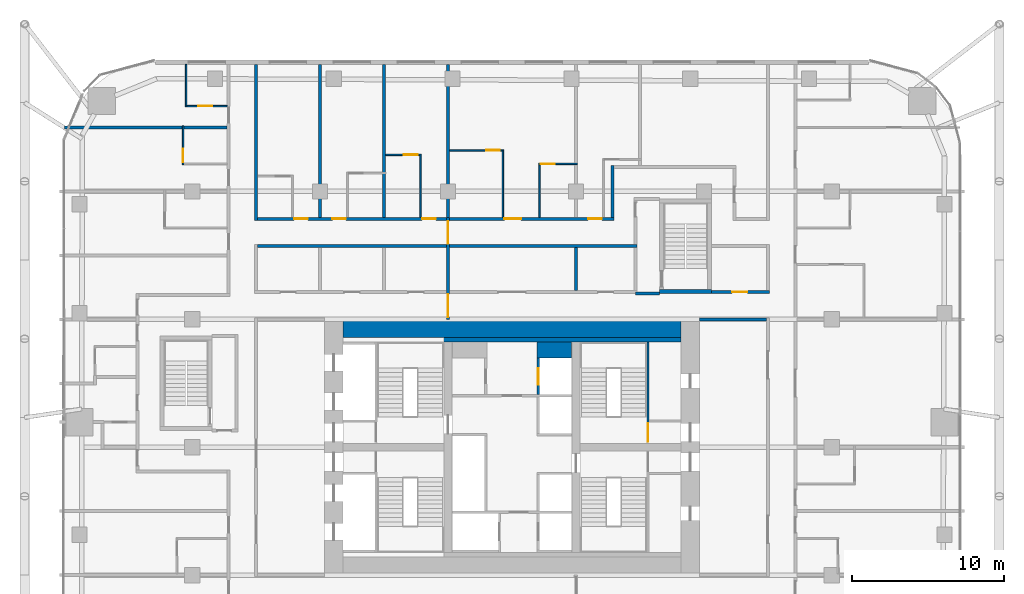
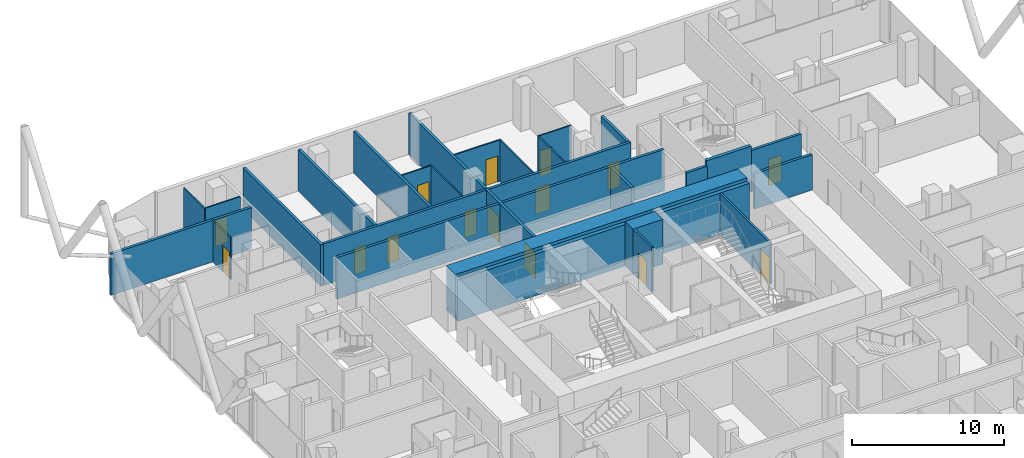
# One storey, part 34 of 38: 28 walls, 15 doors, 15 openings.
"""IFC4 building model written with IfcOpenShell, lengths in metres."""

import ifcopenshell
import ifcopenshell.guid

model = None  # the IFC model being written
_history = None  # IfcOwnerHistory: only IFC2X3 demands one
_inside = {}  # id of a spatial element -> (the spatial element, [elements in it])
_under = {}  # id of a project, library or spatial element -> (it, [spatial elements below it])
_declared = {}  # id of a project -> (the project, [libraries it declares])
_typed = {}  # id of a type object -> (the type object, [elements of that type])
_made_of = {}  # id of a material, layer set ... -> (it, [elements and type objects made of it])


def new_model(schema):
    """Start an empty IFC model of exactly this schema.

    Asked for "IFC4X3", IfcOpenShell would pick the latest addendum, in which some entities
    have other attributes; the version numbers below select the first issue.
    IFC2X3 requires an IfcOwnerHistory on every rooted entity: one is made here for all.
    """
    global model, _history
    if schema == "IFC4X3":
        model = ifcopenshell.file(schema_version=(4, 3, 0, 0))
    else:
        model = ifcopenshell.file(schema=schema)
    _inside.clear()
    _under.clear()
    _declared.clear()
    _typed.clear()
    _made_of.clear()
    _history = None
    if model.schema == "IFC2X3":
        org = make("IfcOrganization", Name="unknown")
        user = make(
            "IfcPersonAndOrganization",
            ThePerson=make("IfcPerson", FamilyName="unknown"),
            TheOrganization=org,
        )
        app = make(
            "IfcApplication",
            ApplicationDeveloper=org,
            Version="unknown",
            ApplicationFullName="unknown",
            ApplicationIdentifier="unknown",
        )
        _history = make(
            "IfcOwnerHistory",
            OwningUser=user,
            OwningApplication=app,
            ChangeAction="ADDED",
            CreationDate=0,
        )
    return model


def make(cls, **values):
    """One entity of the class cls with the attributes given. An attribute that is None is left unset."""
    return model.create_entity(
        cls, **{name: value for name, value in values.items() if value is not None}
    )


def rooted(cls, **values):
    """An entity with a GlobalId (a new one), such as an element, a storey or a relation."""
    return make(cls, GlobalId=ifcopenshell.guid.new(), OwnerHistory=_history, **values)


def si_unit(unit_type, name, prefix=None):
    """IfcSIUnit, for example si_unit("LENGTHUNIT", "METRE", prefix="MILLI")."""
    return make("IfcSIUnit", UnitType=unit_type, Prefix=prefix, Name=name)


def assignment(units):
    """IfcUnitAssignment: the units of a project."""
    return None if units is None else make("IfcUnitAssignment", Units=units)


def point(xyz):
    """IfcCartesianPoint."""
    return None if xyz is None else make("IfcCartesianPoint", Coordinates=xyz)


def direction(xyz):
    """IfcDirection."""
    return None if xyz is None else make("IfcDirection", DirectionRatios=xyz)


def frame(location, z_axis=None, x_axis=None):
    """IfcAxis2Placement3D, a coordinate frame: its origin and axes. An axis left out is left unset."""
    return make(
        "IfcAxis2Placement3D",
        Location=point(location),
        Axis=direction(z_axis),
        RefDirection=direction(x_axis),
    )


def frame_2d(location, x_axis=None):
    """IfcAxis2Placement2D, a coordinate frame in the plane: its origin and x axis."""
    return make(
        "IfcAxis2Placement2D", Location=point(location), RefDirection=direction(x_axis)
    )


def origin():
    """The frame at (0, 0, 0) with its axes left unset."""
    return frame((0.0, 0.0, 0.0))


def place(relative_to, where):
    """IfcLocalPlacement: puts the frame where relative to a parent placement (None: the world)."""
    return make(
        "IfcLocalPlacement", PlacementRelTo=relative_to, RelativePlacement=where
    )


def context(
    kind, dimensions, precision=None, world=None, true_north=None, identifier=None
):
    """IfcGeometricRepresentationContext, for example the 3D "Model" context."""
    return make(
        "IfcGeometricRepresentationContext",
        ContextIdentifier=identifier,
        ContextType=kind,
        CoordinateSpaceDimension=dimensions,
        Precision=precision,
        WorldCoordinateSystem=world,
        TrueNorth=true_north,
    )


def subcontext(parent, identifier, kind, view, scale=None):
    """IfcGeometricRepresentationSubContext, for example "Body" below "Model"."""
    return make(
        "IfcGeometricRepresentationSubContext",
        ContextIdentifier=identifier,
        ContextType=kind,
        ParentContext=parent,
        TargetScale=scale,
        TargetView=view,
    )


def project(units=None, contexts=None):
    """IfcProject with its units and contexts."""
    return rooted(
        "IfcProject",
        Name="project",
        RepresentationContexts=contexts,
        UnitsInContext=assignment(units),
    )


def spatial(cls, under=None, at=None, **own):
    """A site, building, storey or space (cls), placed at a placement, below another one or the project."""
    s = rooted(cls, ObjectPlacement=at, **own)
    if under is not None:
        _under.setdefault(under.id(), (under, []))[1].append(s)
    return s


def profile(cls, at=None, kind="AREA", **sizes):
    """A parametric profile (cls). Its sizes go by their IFC names, for example OverallWidth=200.0."""
    return make(cls, ProfileType=kind, Position=at, **sizes)


def rectangle(**sizes):
    """IfcRectangleProfileDef."""
    return profile("IfcRectangleProfileDef", **sizes)


def extrude(swept, where, along, depth):
    """IfcExtrudedAreaSolid: the profile swept, set in the frame where, extruded along a direction by depth."""
    return make(
        "IfcExtrudedAreaSolid",
        SweptArea=swept,
        Position=where,
        ExtrudedDirection=direction(along),
        Depth=depth,
    )


def shape(context_of_items, identifier, shape_type, items):
    """IfcShapeRepresentation: the items that make up one representation, for example the "Body"."""
    return make(
        "IfcShapeRepresentation",
        ContextOfItems=context_of_items,
        RepresentationIdentifier=identifier,
        RepresentationType=shape_type,
        Items=items,
    )


def material(Name=None, Category=None):
    """IfcMaterial."""
    return make("IfcMaterial", Name=Name, Category=Category)


def layer(
    of_material, thickness, ventilated=None, Name=None, Category=None, Priority=None
):
    """IfcMaterialLayer: one layer of a wall or slab, of a material (None: an air gap)."""
    return make(
        "IfcMaterialLayer",
        Material=of_material,
        LayerThickness=thickness,
        IsVentilated=ventilated,
        Name=Name,
        Category=Category,
        Priority=Priority,
    )


def layer_set(layers, Name=None):
    """IfcMaterialLayerSet."""
    return make("IfcMaterialLayerSet", MaterialLayers=layers, LayerSetName=Name)


def made_of(thing, what):
    """Note that an element or type object is made of a material, layer set ...; save() writes the relation."""
    if what is not None:
        _made_of.setdefault(what.id(), (what, []))[1].append(thing)
    return thing


def type_object(cls, material=None, **own):
    """A type object (cls), such as IfcWallType, which elements share."""
    return made_of(rooted(cls, **own), material)


def element(
    cls,
    number,
    at=None,
    inside=None,
    cuts=None,
    type_object=None,
    material=None,
    context=None,
    identifier="Body",
    shape_type=None,
    held_by="IfcProductDefinitionShape",
    body=None,
    shapes=None,
    **own,
):
    """One element of the class cls, such as IfcWall. Its Tag is "e" and its number.

    at: its placement. inside: the storey or other place that contains it. cuts: it is an
    opening in that element (IfcRelVoidsElement). A single representation is given by context,
    identifier, shape_type and body (its items); several are given by shapes. held_by: the class
    of the entity that holds the representations. save() writes the other relations.
    """
    e = rooted(cls, Tag="e%d" % number, ObjectPlacement=at, **own)
    if body is not None:
        shapes = [shape(context, identifier, shape_type, body)]
    if shapes is not None:
        e.Representation = make(held_by, Representations=shapes)
    if inside is not None:
        _inside.setdefault(inside.id(), (inside, []))[1].append(e)
    if cuts is not None:
        rooted(
            "IfcRelVoidsElement", RelatingBuildingElement=cuts, RelatedOpeningElement=e
        )
    if type_object is not None:
        _typed.setdefault(type_object.id(), (type_object, []))[1].append(e)
    return made_of(e, material)


def fill(opening, filler):
    """IfcRelFillsElement: the door or window that sits in an opening."""
    return rooted(
        "IfcRelFillsElement",
        RelatingOpeningElement=opening,
        RelatedBuildingElement=filler,
    )


def aggregate(whole, parts):
    """IfcRelAggregates: a whole, such as a stair, and the parts it consists of."""
    return rooted("IfcRelAggregates", RelatingObject=whole, RelatedObjects=parts)


def save(model, path):
    """Write the relations noted so far, then the file.

    IfcRelAggregates (storeys below a building ...), IfcRelContainedInSpatialStructure (elements
    in a storey), IfcRelDefinesByType, IfcRelAssociatesMaterial and IfcRelDeclares: one each for
    every whole, place, type object, material and project.
    """
    for whole, parts in _under.values():
        aggregate(whole, parts)
    for where, things in _inside.values():
        rooted(
            "IfcRelContainedInSpatialStructure",
            RelatedElements=things,
            RelatingStructure=where,
        )
    for kind, things in _typed.values():
        rooted("IfcRelDefinesByType", RelatedObjects=things, RelatingType=kind)
    for what, things in _made_of.values():
        rooted("IfcRelAssociatesMaterial", RelatedObjects=things, RelatingMaterial=what)
    for by, libraries in _declared.values():
        rooted("IfcRelDeclares", RelatingContext=by, RelatedDefinitions=libraries)
    model.write(path)


model = new_model("IFC4")

# Units and contexts
model_context = context("Model", 3, precision=1e-05, world=origin(), true_north=direction((0.0, 1.0)))
body_context = subcontext(model_context, "Body", "Model", "MODEL_VIEW")
ifc_project = project(units=[si_unit("LENGTHUNIT", "METRE"), si_unit("AREAUNIT", "SQUARE_METRE"), si_unit("VOLUMEUNIT", "CUBIC_METRE"), si_unit("PLANEANGLEUNIT", "RADIAN"), si_unit("MASSUNIT", "GRAM", prefix="KILO")], contexts=[model_context])

# Site, building, storey
site_placement = place(None, origin())
site = spatial("IfcSite", under=ifc_project, at=site_placement, CompositionType="ELEMENT")
building_placement = place(site_placement, origin())
building = spatial("IfcBuilding", under=site, at=building_placement, Name="Marenta Gate Hotel Tower", CompositionType="ELEMENT")
storey_placement = place(building_placement, frame((0.0, 0.0, 54.5)))
storey = spatial("IfcBuildingStorey", under=building, at=storey_placement, Name="L11", CompositionType="ELEMENT", Elevation=54.5)

# Wall, openings, doors
ifc_material_1 = material(Name="Concrete blockwork", Category="masonry")
ifc_layer_1 = layer(ifc_material_1, 0.199951171875)
ifc_layer_set_1 = layer_set([ifc_layer_1], Name="Concrete blockwork")
wall_type_1 = type_object("IfcWallType", Name="Compartment wall 200 REI 180", PredefinedType="PARTITIONING", material=ifc_layer_set_1)
wall_1_placement = place(storey_placement, frame((-4.199951171875, 16.800048828125, 0.0), z_axis=(0.0, 0.0, 1.0), x_axis=(0.0, 1.0, 0.0)))
wall_1 = element("IfcWall", 1, at=wall_1_placement, inside=storey, type_object=wall_type_1, Name="L11-PTN-W077", PredefinedType="PARTITIONING", context=body_context, shape_type="SweptSolid", body=[
    extrude(rectangle(XDim=6.699951171875, YDim=0.199951171875, at=frame_2d((3.35009765625, 0.0))), origin(), (0.0, 0.0, 1.0), 3.340087890625),
])
opening_1_placement = place(wall_1_placement, frame((0.14990234375, 0.0, 0.0)))
opening_1 = element("IfcOpeningElement", 2, at=opening_1_placement, cuts=wall_1, Name="Opening G04-FD1", PredefinedType="OPENING", context=body_context, shape_type="SweptSolid", body=[
    extrude(rectangle(XDim=1.5, YDim=2.10009765625, at=frame_2d((0.75, 1.050048828125))), frame((0.0, 0.10009765625, 0.0), z_axis=(0.0, -1.0, 0.0), x_axis=(1.0, 0.0, 0.0)), (0.0, 0.0, 1.0), 0.199951171875),
])
opening_2_placement = place(wall_1_placement, frame((4.949951171875, 0.0, 0.0)))
opening_2 = element("IfcOpeningElement", 3, at=opening_2_placement, cuts=wall_1, Name="Opening G04-FD2", PredefinedType="OPENING", context=body_context, shape_type="SweptSolid", body=[
    extrude(rectangle(XDim=1.5, YDim=2.10009765625, at=frame_2d((0.75, 1.050048828125))), frame((0.0, 0.10009765625, 0.0), z_axis=(0.0, -1.0, 0.0), x_axis=(1.0, 0.0, 0.0)), (0.0, 0.0, 1.0), 0.199951171875),
])
ifc_material_2 = material(Name="Hollow steel door set", Category="steel")
door_type_1 = type_object("IfcDoorType", Name="Compartment fire door 1500x2100 EI 60", OperationType="DOUBLE_DOOR_DOUBLE_SWING", PredefinedType="DOOR", material=ifc_material_2)
door_1_placement = place(opening_1_placement, origin())
door_1 = element("IfcDoor", 4, at=door_1_placement, inside=storey, type_object=door_type_1, Name="L11-PD-FD01", OperationType="DOUBLE_DOOR_DOUBLE_SWING", OverallHeight=2.10009765625, OverallWidth=1.5, PredefinedType="DOOR", context=body_context, shape_type="SweptSolid", body=[
    extrude(rectangle(XDim=1.5, YDim=2.10009765625, at=frame_2d((0.75, 1.050048828125))), frame((0.0, 0.02490234375, 0.0), z_axis=(0.0, -1.0, 0.0), x_axis=(1.0, 0.0, 0.0)), (0.0, 0.0, 1.0), 0.050048828125),
])
fill(opening_1, door_1)
door_2_placement = place(opening_2_placement, origin())
door_2 = element("IfcDoor", 5, at=door_2_placement, inside=storey, type_object=door_type_1, Name="L11-PD-FD02", OperationType="DOUBLE_DOOR_DOUBLE_SWING", OverallHeight=2.10009765625, OverallWidth=1.5, PredefinedType="DOOR", context=body_context, shape_type="SweptSolid", body=[
    extrude(rectangle(XDim=1.5, YDim=2.10009765625, at=frame_2d((0.75, 1.050048828125))), frame((0.0, 0.02490234375, 0.0), z_axis=(0.0, -1.0, 0.0), x_axis=(1.0, 0.0, 0.0)), (0.0, 0.0, 1.0), 0.050048828125),
])
fill(opening_2, door_2)

# Walls
wall_2_placement = place(storey_placement, frame((-4.199951171875, 23.5, 0.0), z_axis=(0.0, 0.0, 1.0), x_axis=(0.0, 1.0, 0.0)))
element("IfcWall", 6, at=wall_2_placement, inside=storey, type_object=wall_type_1, Name="L11-PTN-W078", PredefinedType="PARTITIONING", context=body_context, shape_type="SweptSolid", body=[
    extrude(rectangle(XDim=10.0400390625, YDim=0.199951171875, at=frame_2d((5.02001953125, 0.0))), origin(), (0.0, 0.0, 1.0), 3.340087890625),
])
ifc_material_3 = material(Name="Concrete blockwork", Category="masonry")
ifc_layer_2 = layer(ifc_material_3, 0.199951171875)
ifc_layer_set_2 = layer_set([ifc_layer_2], Name="Concrete blockwork")
wall_type_2 = type_object("IfcWallType", Name="Core boundary wall 200 REI 180", PredefinedType="PARTITIONING", material=ifc_layer_set_2)
wall_3_placement = place(storey_placement, frame((12.300048828125, 16.800048828125, 0.0), z_axis=(0.0, 0.0, 1.0), x_axis=(1.0, 0.0, 0.0)))
element("IfcWall", 7, at=wall_3_placement, inside=storey, type_object=wall_type_2, Name="L11-CP-EW-EN", PredefinedType="PARTITIONING", context=body_context, shape_type="SweptSolid", body=[
    extrude(rectangle(XDim=4.39990234375, YDim=0.199951171875, at=frame_2d((2.199951171875, 0.0))), origin(), (0.0, 0.0, 1.0), 2.840087890625),
])
ifc_material_4 = material(Name="Concrete C40", Category="concrete")
ifc_layer_3 = layer(ifc_material_4, 0.300048828125)
ifc_layer_set_3 = layer_set([ifc_layer_3], Name="Concrete C40")
wall_type_3 = type_object("IfcWallType", Name="Core lining wall 300 REI 180", PredefinedType="PARTITIONING", material=ifc_layer_set_3)
wall_4_placement = place(storey_placement, frame((-11.10009765625, 15.449951171875, 0.0), z_axis=(0.0, 0.0, 1.0), x_axis=(1.0, 0.0, 0.0)))
element("IfcWall", 8, at=wall_4_placement, inside=storey, type_object=wall_type_3, Name="L11-CP-LN-N", PredefinedType="PARTITIONING", context=body_context, shape_type="SweptSolid", body=[
    extrude(rectangle(XDim=22.2001953125, YDim=0.300048828125, at=frame_2d((11.10009765625, 0.0))), origin(), (0.0, 0.0, 1.0), 3.340087890625),
])
ifc_material_5 = material(Name="Concrete C40", Category="concrete")
ifc_layer_4 = layer(ifc_material_5, 1.050048828125)
ifc_layer_set_4 = layer_set([ifc_layer_4], Name="Concrete C40")
wall_type_4 = type_object("IfcWallType", Name="Core shaft wall 1050 REI 180", PredefinedType="SHEAR", material=ifc_layer_set_4)
wall_5_placement = place(storey_placement, frame((1.64990234375, 14.77490234375, 0.0), z_axis=(0.0, 0.0, 1.0), x_axis=(1.0, 0.0, 0.0)))
element("IfcWall", 9, at=wall_5_placement, inside=storey, type_object=wall_type_4, Name="L11-SHF-CE-N-top", PredefinedType="SHEAR", context=body_context, shape_type="SweptSolid", body=[
    extrude(rectangle(XDim=2.25, YDim=1.050048828125, at=frame_2d((1.125, 0.0))), origin(), (0.0, 0.0, 1.0), 3.60009765625),
])

# Wall, opening, door
ifc_material_6 = material(Name="Concrete C40", Category="concrete")
ifc_layer_5 = layer(ifc_material_6, 0.14990234375)
ifc_layer_set_5 = layer_set([ifc_layer_5], Name="Concrete C40")
wall_type_5 = type_object("IfcWallType", Name="Core shaft wall 150 REI 180", PredefinedType="SHEAR", material=ifc_layer_set_5)
wall_6_placement = place(storey_placement, frame((1.72509765625, 11.85009765625, 0.0), z_axis=(0.0, 0.0, 1.0), x_axis=(0.0, 1.0, 0.0)))
wall_6 = element("IfcWall", 10, at=wall_6_placement, inside=storey, type_object=wall_type_5, Name="L11-SHF-CE-N-front2", PredefinedType="SHEAR", context=body_context, shape_type="SweptSolid", body=[
    extrude(rectangle(XDim=2.39990234375, YDim=0.14990234375, at=frame_2d((1.199951171875, 0.0))), origin(), (0.0, 0.0, 1.0), 3.60009765625),
])
opening_3_placement = place(wall_6_placement, frame((0.64990234375, 0.0, 0.0)))
opening_3 = element("IfcOpeningElement", 11, at=opening_3_placement, cuts=wall_6, Name="Opening LD-FF2", PredefinedType="OPENING", context=body_context, shape_type="SweptSolid", body=[
    extrude(rectangle(XDim=1.10009765625, YDim=2.10009765625, at=frame_2d((0.550048828125, 1.050048828125))), frame((0.0, 0.074951171875, 0.0), z_axis=(0.0, -1.0, 0.0), x_axis=(1.0, 0.0, 0.0)), (0.0, 0.0, 1.0), 0.14990234375),
])
ifc_material_7 = material(Name="Steel", Category="steel")
door_type_2 = type_object("IfcDoorType", Name="Core lift landing door 1100x2100 E 60", OperationType="SLIDING_TO_LEFT", PredefinedType="DOOR", material=ifc_material_7)
door_3_placement = place(opening_3_placement, origin())
door_3 = element("IfcDoor", 12, at=door_3_placement, inside=storey, type_object=door_type_2, Name="LD-FF2", OperationType="SLIDING_TO_LEFT", OverallHeight=2.10009765625, OverallWidth=1.10009765625, PredefinedType="DOOR", context=body_context, shape_type="SweptSolid", body=[
    extrude(rectangle(XDim=1.10009765625, YDim=2.10009765625, at=frame_2d((0.550048828125, 1.050048828125))), frame((0.0, 0.02490234375, 0.0), z_axis=(0.0, -1.0, 0.0), x_axis=(1.0, 0.0, 0.0)), (0.0, 0.0, 1.0), 0.050048828125),
])
fill(opening_3, door_3)

ifc_material_8 = material(Name="Concrete C40", Category="concrete")
ifc_layer_6 = layer(ifc_material_8, 0.14990234375)
ifc_layer_set_6 = layer_set([ifc_layer_6], Name="Concrete C40")
wall_type_6 = type_object("IfcWallType", Name="Core stair enclosure wall 150 REI 180", PredefinedType="SHEAR", material=ifc_layer_set_6)
wall_7_placement = place(storey_placement, frame((8.925048828125, 8.699951171875, 0.0), z_axis=(0.0, 0.0, 1.0), x_axis=(0.0, 1.0, 0.0)))
wall_7 = element("IfcWall", 13, at=wall_7_placement, inside=storey, type_object=wall_type_6, Name="L11-SHF-SW-EN-3", PredefinedType="SHEAR", context=body_context, shape_type="SweptSolid", body=[
    extrude(rectangle(XDim=6.60009765625, YDim=0.14990234375, at=frame_2d((3.300048828125, 0.0))), origin(), (0.0, 0.0, 1.0), 3.340087890625),
])
opening_4_placement = place(wall_7_placement, frame((0.074951171875, 0.0, 0.0)))
opening_4 = element("IfcOpeningElement", 14, at=opening_4_placement, cuts=wall_7, Name="Opening SD-EN", PredefinedType="OPENING", context=body_context, shape_type="SweptSolid", body=[
    extrude(rectangle(XDim=1.199951171875, YDim=2.10009765625, at=frame_2d((0.60009765625, 1.050048828125))), frame((0.0, 0.074951171875, 0.0), z_axis=(0.0, -1.0, 0.0), x_axis=(1.0, 0.0, 0.0)), (0.0, 0.0, 1.0), 0.14990234375),
])
ifc_material_9 = material(Name="Steel", Category="steel")
door_type_3 = type_object("IfcDoorType", Name="Core stair door 1200x2100 FD60", OperationType="SINGLE_SWING_LEFT", PredefinedType="DOOR", material=ifc_material_9)
door_4_placement = place(opening_4_placement, origin())
door_4 = element("IfcDoor", 15, at=door_4_placement, inside=storey, type_object=door_type_3, Name="SD-EN", OperationType="SINGLE_SWING_LEFT", OverallHeight=2.10009765625, OverallWidth=1.199951171875, PredefinedType="DOOR", context=body_context, shape_type="SweptSolid", body=[
    extrude(rectangle(XDim=1.199951171875, YDim=2.10009765625, at=frame_2d((0.60009765625, 1.050048828125))), frame((0.0, 0.02490234375, 0.0), z_axis=(0.0, -1.0, 0.0), x_axis=(1.0, 0.0, 0.0)), (0.0, 0.0, 1.0), 0.050048828125),
])
fill(opening_4, door_4)

# Walls
ifc_material_10 = material(Name="Concrete C80", Category="concrete")
ifc_layer_7 = layer(ifc_material_10, 1.199951171875)
ifc_layer_set_7 = layer_set([ifc_layer_7], Name="Concrete C80")
wall_type_7 = type_object("IfcWallType", Name="Core wall 1200 C80", PredefinedType="SHEAR", material=ifc_layer_set_7)
wall_8_placement = place(storey_placement, frame((-11.10009765625, 16.199951171875, 0.0), z_axis=(0.0, 0.0, 1.0), x_axis=(1.0, 0.0, 0.0)))
element("IfcWall", 16, at=wall_8_placement, inside=storey, type_object=wall_type_7, Name="L11-CORE-N", PredefinedType="SHEAR", context=body_context, shape_type="SweptSolid", body=[
    extrude(rectangle(XDim=22.2001953125, YDim=1.199951171875, at=frame_2d((11.10009765625, 0.0))), origin(), (0.0, 0.0, 1.0), 3.60009765625),
])
ifc_material_11 = material(Name="Concrete C40", Category="concrete")
ifc_layer_8 = layer(ifc_material_11, 0.25)
ifc_layer_set_8 = layer_set([ifc_layer_8], Name="Concrete C40")
wall_type_8 = type_object("IfcWallType", Name="Remote stair enclosure wall 250 REI 180", PredefinedType="SHEAR", material=ifc_layer_set_8)
wall_9_placement = place(storey_placement, frame((9.699951171875, 18.625, 0.10009765625), z_axis=(0.0, 0.0, 1.0), x_axis=(1.0, 0.0, 0.0)))
element("IfcWall", 17, at=wall_9_placement, inside=storey, type_object=wall_type_8, Name="L11-RS-Z1-4-W1", PredefinedType="SHEAR", context=body_context, shape_type="SweptSolid", body=[
    extrude(rectangle(XDim=3.400146484375, YDim=0.25, at=frame_2d((1.7001953125, 0.0))), origin(), (0.0, 0.0, 1.0), 3.599853515625),
])
ifc_material_12 = material(Name="Concrete blockwork", Category="masonry")
ifc_layer_9 = layer(ifc_material_12, 0.199951171875)
ifc_layer_set_9 = layer_set([ifc_layer_9], Name="Concrete blockwork")
wall_type_9 = type_object("IfcWallType", Name="Room corridor wall 200 EI 120", PredefinedType="PARTITIONING", material=ifc_layer_set_9)
wall_10_placement = place(storey_placement, frame((-16.699951171875, 21.60009765625, 0.0), z_axis=(0.0, 0.0, 1.0), x_axis=(1.0, 0.0, 0.0)))
element("IfcWall", 18, at=wall_10_placement, inside=storey, type_object=wall_type_9, Name="L11-PTN-W127", PredefinedType="PARTITIONING", context=body_context, shape_type="SweptSolid", body=[
    extrude(rectangle(XDim=24.89990234375, YDim=0.199951171875, at=frame_2d((12.449951171875, 0.0))), origin(), (0.0, 0.0, 1.0), 3.340087890625),
])
ifc_material_13 = material(Name="Gypsum board on steel stud", Category="steel")
ifc_layer_10 = layer(ifc_material_13, 0.199951171875)
ifc_layer_set_10 = layer_set([ifc_layer_10], Name="Gypsum board on steel stud")
wall_type_10 = type_object("IfcWallType", Name="Room corridor wall 200 EI 60", PredefinedType="PARTITIONING", material=ifc_layer_set_10)
wall_11_placement = place(storey_placement, frame((6.60009765625, 23.5, 0.0), z_axis=(0.0, 0.0, 1.0), x_axis=(0.0, 1.0, 0.0)))
element("IfcWall", 19, at=wall_11_placement, inside=storey, type_object=wall_type_10, Name="L11-PTN-W044", PredefinedType="PARTITIONING", context=body_context, shape_type="SweptSolid", body=[
    extrude(rectangle(XDim=3.39990234375, YDim=0.199951171875, at=frame_2d((1.699951171875, 0.0))), origin(), (0.0, 0.0, 1.0), 3.340087890625),
])
wall_12_placement = place(storey_placement, frame((-16.800048828125, 23.300048828125, 0.0), z_axis=(0.0, 0.0, 1.0), x_axis=(0.0, 1.0, 0.0)))
element("IfcWall", 20, at=wall_12_placement, inside=storey, type_object=wall_type_10, Name="L11-PTN-W112", PredefinedType="PARTITIONING", context=body_context, shape_type="SweptSolid", body=[
    extrude(rectangle(XDim=10.239990234375, YDim=0.199951171875, at=frame_2d((5.1201171875, 0.0))), origin(), (0.0, 0.0, 1.0), 3.340087890625),
])

# Wall, opening, door
wall_13_placement = place(storey_placement, frame((13.10009765625, 18.60009765625, 0.0), z_axis=(0.0, 0.0, 1.0), x_axis=(1.0, 0.0, 0.0)))
wall_13 = element("IfcWall", 21, at=wall_13_placement, inside=storey, type_object=wall_type_10, Name="L11-PTN-W121", PredefinedType="PARTITIONING", context=body_context, shape_type="SweptSolid", body=[
    extrude(rectangle(XDim=3.7998046875, YDim=0.199951171875, at=frame_2d((1.89990234375, 0.0))), origin(), (0.0, 0.0, 1.0), 3.340087890625),
])
opening_5_placement = place(wall_13_placement, frame((1.35009765625, 0.0, 0.0)))
opening_5 = element("IfcOpeningElement", 22, at=opening_5_placement, cuts=wall_13, Name="Opening G04-04", PredefinedType="OPENING", context=body_context, shape_type="SweptSolid", body=[
    extrude(rectangle(XDim=1.0, YDim=2.10009765625, at=frame_2d((0.5, 1.050048828125))), frame((0.0, 0.10009765625, 0.0), z_axis=(0.0, -1.0, 0.0), x_axis=(1.0, 0.0, 0.0)), (0.0, 0.0, 1.0), 0.199951171875),
])
ifc_material_14 = material(Name="Timber door leaf", Category="wood")
door_type_4 = type_object("IfcDoorType", Name="Room amenity door 1000x2100 EI 30", OperationType="NOTDEFINED", PredefinedType="DOOR", material=ifc_material_14)
door_5_placement = place(opening_5_placement, origin())
door_5 = element("IfcDoor", 23, at=door_5_placement, inside=storey, type_object=door_type_4, Name="L11-PD-D004", OperationType="SINGLE_SWING_LEFT", OverallHeight=2.10009765625, OverallWidth=1.0, PredefinedType="DOOR", context=body_context, shape_type="SweptSolid", body=[
    extrude(rectangle(XDim=1.0, YDim=2.10009765625, at=frame_2d((0.5, 1.050048828125))), frame((0.0, 0.02490234375, 0.0), z_axis=(0.0, -1.0, 0.0), x_axis=(1.0, 0.0, 0.0)), (0.0, 0.0, 1.0), 0.050048828125),
])
fill(opening_5, door_5)

# Wall, openings, doors
wall_14_placement = place(storey_placement, frame((-16.699951171875, 23.39990234375, 0.0), z_axis=(0.0, 0.0, 1.0), x_axis=(1.0, 0.0, 0.0)))
wall_14 = element("IfcWall", 24, at=wall_14_placement, inside=storey, type_object=wall_type_10, Name="L11-PTN-W135", PredefinedType="PARTITIONING", context=body_context, shape_type="SweptSolid", body=[
    extrude(rectangle(XDim=23.39990234375, YDim=0.199951171875, at=frame_2d((11.699951171875, 0.0))), origin(), (0.0, 0.0, 1.0), 3.340087890625),
])
opening_6_placement = place(wall_14_placement, frame((2.39990234375, 0.0, 0.0)))
opening_6 = element("IfcOpeningElement", 25, at=opening_6_placement, cuts=wall_14, Name="Opening G04-29", PredefinedType="OPENING", context=body_context, shape_type="SweptSolid", body=[
    extrude(rectangle(XDim=0.89990234375, YDim=2.10009765625, at=frame_2d((0.449951171875, 1.050048828125))), frame((0.0, 0.10009765625, 0.0), z_axis=(0.0, -1.0, 0.0), x_axis=(1.0, 0.0, 0.0)), (0.0, 0.0, 1.0), 0.199951171875),
])
opening_7_placement = place(wall_14_placement, frame((4.89990234375, 0.0, 0.0)))
opening_7 = element("IfcOpeningElement", 26, at=opening_7_placement, cuts=wall_14, Name="Opening G04-31", PredefinedType="OPENING", context=body_context, shape_type="SweptSolid", body=[
    extrude(rectangle(XDim=0.89990234375, YDim=2.10009765625, at=frame_2d((0.449951171875, 1.050048828125))), frame((0.0, 0.10009765625, 0.0), z_axis=(0.0, -1.0, 0.0), x_axis=(1.0, 0.0, 0.0)), (0.0, 0.0, 1.0), 0.199951171875),
])
opening_8_placement = place(wall_14_placement, frame((10.800048828125, 0.0, 0.0)))
opening_8 = element("IfcOpeningElement", 27, at=opening_8_placement, cuts=wall_14, Name="Opening G04-33", PredefinedType="OPENING", context=body_context, shape_type="SweptSolid", body=[
    extrude(rectangle(XDim=0.89990234375, YDim=2.10009765625, at=frame_2d((0.449951171875, 1.050048828125))), frame((0.0, 0.10009765625, 0.0), z_axis=(0.0, -1.0, 0.0), x_axis=(1.0, 0.0, 0.0)), (0.0, 0.0, 1.0), 0.199951171875),
])
opening_9_placement = place(wall_14_placement, frame((16.199951171875, 0.0, 0.0)))
opening_9 = element("IfcOpeningElement", 28, at=opening_9_placement, cuts=wall_14, Name="Opening G04-35", PredefinedType="OPENING", context=body_context, shape_type="SweptSolid", body=[
    extrude(rectangle(XDim=1.10009765625, YDim=2.10009765625, at=frame_2d((0.550048828125, 1.050048828125))), frame((0.0, 0.10009765625, 0.0), z_axis=(0.0, -1.0, 0.0), x_axis=(1.0, 0.0, 0.0)), (0.0, 0.0, 1.0), 0.199951171875),
])
opening_10_placement = place(wall_14_placement, frame((21.699951171875, 0.0, 0.0)))
opening_10 = element("IfcOpeningElement", 29, at=opening_10_placement, cuts=wall_14, Name="Opening G04-38", PredefinedType="OPENING", context=body_context, shape_type="SweptSolid", body=[
    extrude(rectangle(XDim=0.89990234375, YDim=2.10009765625, at=frame_2d((0.449951171875, 1.050048828125))), frame((0.0, 0.10009765625, 0.0), z_axis=(0.0, -1.0, 0.0), x_axis=(1.0, 0.0, 0.0)), (0.0, 0.0, 1.0), 0.199951171875),
])
ifc_material_15 = material(Name="Timber door leaf", Category="wood")
door_type_5 = type_object("IfcDoorType", Name="Guest room door 1100x2100 EI 30", OperationType="NOTDEFINED", PredefinedType="DOOR", material=ifc_material_15)
door_6_placement = place(opening_9_placement, origin())
door_6 = element("IfcDoor", 30, at=door_6_placement, inside=storey, type_object=door_type_5, Name="L11-PD-D035", OperationType="SINGLE_SWING_LEFT", OverallHeight=2.10009765625, OverallWidth=1.10009765625, PredefinedType="DOOR", context=body_context, shape_type="SweptSolid", body=[
    extrude(rectangle(XDim=1.10009765625, YDim=2.10009765625, at=frame_2d((0.550048828125, 1.050048828125))), frame((0.0, 0.02490234375, 0.0), z_axis=(0.0, -1.0, 0.0), x_axis=(1.0, 0.0, 0.0)), (0.0, 0.0, 1.0), 0.050048828125),
])
fill(opening_9, door_6)
ifc_material_16 = material(Name="Timber door leaf", Category="wood")
door_type_6 = type_object("IfcDoorType", Name="Guest room door 900x2100 EI 30", OperationType="NOTDEFINED", PredefinedType="DOOR", material=ifc_material_16)
door_7_placement = place(opening_6_placement, origin())
door_7 = element("IfcDoor", 31, at=door_7_placement, inside=storey, type_object=door_type_6, Name="L11-PD-D029", OperationType="SINGLE_SWING_LEFT", OverallHeight=2.10009765625, OverallWidth=0.89990234375, PredefinedType="DOOR", context=body_context, shape_type="SweptSolid", body=[
    extrude(rectangle(XDim=0.89990234375, YDim=2.10009765625, at=frame_2d((0.449951171875, 1.050048828125))), frame((0.0, 0.02490234375, 0.0), z_axis=(0.0, -1.0, 0.0), x_axis=(1.0, 0.0, 0.0)), (0.0, 0.0, 1.0), 0.050048828125),
])
fill(opening_6, door_7)
door_8_placement = place(opening_7_placement, origin())
door_8 = element("IfcDoor", 32, at=door_8_placement, inside=storey, type_object=door_type_6, Name="L11-PD-D031", OperationType="SINGLE_SWING_RIGHT", OverallHeight=2.10009765625, OverallWidth=0.89990234375, PredefinedType="DOOR", context=body_context, shape_type="SweptSolid", body=[
    extrude(rectangle(XDim=0.89990234375, YDim=2.10009765625, at=frame_2d((0.449951171875, 1.050048828125))), frame((0.0, 0.02490234375, 0.0), z_axis=(0.0, -1.0, 0.0), x_axis=(1.0, 0.0, 0.0)), (0.0, 0.0, 1.0), 0.050048828125),
])
fill(opening_7, door_8)
door_9_placement = place(opening_8_placement, origin())
door_9 = element("IfcDoor", 33, at=door_9_placement, inside=storey, type_object=door_type_6, Name="L11-PD-D033", OperationType="SINGLE_SWING_LEFT", OverallHeight=2.10009765625, OverallWidth=0.89990234375, PredefinedType="DOOR", context=body_context, shape_type="SweptSolid", body=[
    extrude(rectangle(XDim=0.89990234375, YDim=2.10009765625, at=frame_2d((0.449951171875, 1.050048828125))), frame((0.0, 0.02490234375, 0.0), z_axis=(0.0, -1.0, 0.0), x_axis=(1.0, 0.0, 0.0)), (0.0, 0.0, 1.0), 0.050048828125),
])
fill(opening_8, door_9)
door_10_placement = place(opening_10_placement, origin())
door_10 = element("IfcDoor", 34, at=door_10_placement, inside=storey, type_object=door_type_6, Name="L11-PD-D038", OperationType="SINGLE_SWING_RIGHT", OverallHeight=2.10009765625, OverallWidth=0.89990234375, PredefinedType="DOOR", context=body_context, shape_type="SweptSolid", body=[
    extrude(rectangle(XDim=0.89990234375, YDim=2.10009765625, at=frame_2d((0.449951171875, 1.050048828125))), frame((0.0, 0.02490234375, 0.0), z_axis=(0.0, -1.0, 0.0), x_axis=(1.0, 0.0, 0.0)), (0.0, 0.0, 1.0), 0.050048828125),
])
fill(opening_10, door_10)

# Walls
ifc_material_17 = material(Name="Concrete blockwork", Category="masonry")
ifc_layer_11 = layer(ifc_material_17, 0.199951171875)
ifc_layer_set_11 = layer_set([ifc_layer_11], Name="Concrete blockwork")
wall_type_11 = type_object("IfcWallType", Name="Room corridor wall 200 REI 180", PredefinedType="PARTITIONING", material=ifc_layer_set_11)
wall_15_placement = place(storey_placement, frame((8.10009765625, 18.5, 0.0), z_axis=(0.0, 0.0, 1.0), x_axis=(1.0, 0.0, 0.0)))
element("IfcWall", 35, at=wall_15_placement, inside=storey, type_object=wall_type_11, Name="L11-PTN-W117", PredefinedType="PARTITIONING", context=body_context, shape_type="SweptSolid", body=[
    extrude(rectangle(XDim=1.599853515625, YDim=0.199951171875, at=frame_2d((0.7998046875, 0.0))), origin(), (0.0, 0.0, 1.0), 3.340087890625),
])
ifc_material_18 = material(Name="Gypsum board on steel stud", Category="steel")
ifc_layer_12 = layer(ifc_material_18, 0.10009765625)
ifc_layer_set_12 = layer_set([ifc_layer_12], Name="Gypsum board on steel stud")
wall_type_12 = type_object("IfcWallType", Name="Room partition 100", PredefinedType="PARTITIONING", material=ifc_layer_set_12)
wall_16_placement = place(storey_placement, frame((1.800048828125, 23.5, 0.0), z_axis=(0.0, 0.0, 1.0), x_axis=(0.0, 1.0, 0.0)))
element("IfcWall", 36, at=wall_16_placement, inside=storey, type_object=wall_type_12, Name="L11-PTN-W060", PredefinedType="PARTITIONING", context=body_context, shape_type="SweptSolid", body=[
    extrude(rectangle(XDim=3.449951171875, YDim=0.10009765625, at=frame_2d((1.72509765625, 0.0))), origin(), (0.0, 0.0, 1.0), 3.340087890625),
])
wall_17_placement = place(storey_placement, frame((-0.60009765625, 23.5, 0.0), z_axis=(0.0, 0.0, 1.0), x_axis=(0.0, 1.0, 0.0)))
element("IfcWall", 37, at=wall_17_placement, inside=storey, type_object=wall_type_12, Name="L11-PTN-W071", PredefinedType="PARTITIONING", context=body_context, shape_type="SweptSolid", body=[
    extrude(rectangle(XDim=4.449951171875, YDim=0.10009765625, at=frame_2d((2.22509765625, 0.0))), origin(), (0.0, 0.0, 1.0), 3.340087890625),
])
wall_18_placement = place(storey_placement, frame((-6.0, 23.5, 0.0), z_axis=(0.0, 0.0, 1.0), x_axis=(0.0, 1.0, 0.0)))
element("IfcWall", 38, at=wall_18_placement, inside=storey, type_object=wall_type_12, Name="L11-PTN-W082", PredefinedType="PARTITIONING", context=body_context, shape_type="SweptSolid", body=[
    extrude(rectangle(XDim=4.14990234375, YDim=0.10009765625, at=frame_2d((2.074951171875, 0.0))), origin(), (0.0, 0.0, 1.0), 3.340087890625),
])
wall_19_placement = place(storey_placement, frame((-21.39990234375, 30.75, 0.0), z_axis=(0.0, 0.0, 1.0), x_axis=(0.0, 1.0, 0.0)))
element("IfcWall", 39, at=wall_19_placement, inside=storey, type_object=wall_type_12, Name="L11-PTN-W125", PredefinedType="PARTITIONING", context=body_context, shape_type="SweptSolid", body=[
    extrude(rectangle(XDim=2.7900390625, YDim=0.10009765625, at=frame_2d((1.39501953125, 0.0))), origin(), (0.0, 0.0, 1.0), 3.340087890625),
])

# Wall, opening, door
wall_20_placement = place(storey_placement, frame((-21.60009765625, 26.949951171875, 0.0), z_axis=(0.0, 0.0, 1.0), x_axis=(0.0, 1.0, 0.0)))
wall_20 = element("IfcWall", 40, at=wall_20_placement, inside=storey, type_object=wall_type_12, Name="L11-PTN-W126", PredefinedType="PARTITIONING", context=body_context, shape_type="SweptSolid", body=[
    extrude(rectangle(XDim=2.550048828125, YDim=0.10009765625, at=frame_2d((1.27490234375, 0.0))), origin(), (0.0, 0.0, 1.0), 3.340087890625),
])
opening_11_placement = place(wall_20_placement, frame((0.14990234375, 0.0, 0.0)))
opening_11 = element("IfcOpeningElement", 41, at=opening_11_placement, cuts=wall_20, Name="Opening G04-64", PredefinedType="OPENING", context=body_context, shape_type="SweptSolid", body=[
    extrude(rectangle(XDim=0.89990234375, YDim=2.10009765625, at=frame_2d((0.449951171875, 1.050048828125))), frame((0.0, 0.050048828125, 0.0), z_axis=(0.0, -1.0, 0.0), x_axis=(1.0, 0.0, 0.0)), (0.0, 0.0, 1.0), 0.10009765625),
])
ifc_material_19 = material(Name="Timber door leaf", Category="wood")
door_type_7 = type_object("IfcDoorType", Name="Guest bathroom door 900x2100", OperationType="NOTDEFINED", PredefinedType="DOOR", material=ifc_material_19)
door_11_placement = place(opening_11_placement, origin())
door_11 = element("IfcDoor", 42, at=door_11_placement, inside=storey, type_object=door_type_7, Name="L11-PD-D064", OperationType="SINGLE_SWING_RIGHT", OverallHeight=2.10009765625, OverallWidth=0.89990234375, PredefinedType="DOOR", context=body_context, shape_type="SweptSolid", body=[
    extrude(rectangle(XDim=0.89990234375, YDim=2.10009765625, at=frame_2d((0.449951171875, 1.050048828125))), frame((0.0, 0.02490234375, 0.0), z_axis=(0.0, -1.0, 0.0), x_axis=(1.0, 0.0, 0.0)), (0.0, 0.0, 1.0), 0.050048828125),
])
fill(opening_11, door_11)

wall_21_placement = place(storey_placement, frame((1.75, 27.0, 0.0), z_axis=(0.0, 0.0, 1.0), x_axis=(1.0, 0.0, 0.0)))
wall_21 = element("IfcWall", 43, at=wall_21_placement, inside=storey, type_object=wall_type_12, Name="L11-PTN-W146", PredefinedType="PARTITIONING", context=body_context, shape_type="SweptSolid", body=[
    extrude(rectangle(XDim=2.550048828125, YDim=0.10009765625, at=frame_2d((1.27490234375, 0.0))), origin(), (0.0, 0.0, 1.0), 3.340087890625),
])
opening_12_placement = place(wall_21_placement, frame((0.14990234375, 0.0, 0.0)))
opening_12 = element("IfcOpeningElement", 44, at=opening_12_placement, cuts=wall_21, Name="Opening G04-37", PredefinedType="OPENING", context=body_context, shape_type="SweptSolid", body=[
    extrude(rectangle(XDim=0.89990234375, YDim=2.10009765625, at=frame_2d((0.449951171875, 1.050048828125))), frame((0.0, 0.050048828125, 0.0), z_axis=(0.0, -1.0, 0.0), x_axis=(1.0, 0.0, 0.0)), (0.0, 0.0, 1.0), 0.10009765625),
])
ifc_material_20 = material(Name="Timber door leaf", Category="wood")
door_type_8 = type_object("IfcDoorType", Name="Room inner door 900x2100", OperationType="NOTDEFINED", PredefinedType="DOOR", material=ifc_material_20)
door_12_placement = place(opening_12_placement, origin())
door_12 = element("IfcDoor", 45, at=door_12_placement, inside=storey, type_object=door_type_8, Name="L11-PD-D037", OperationType="SINGLE_SWING_RIGHT", OverallHeight=2.10009765625, OverallWidth=0.89990234375, PredefinedType="DOOR", context=body_context, shape_type="SweptSolid", body=[
    extrude(rectangle(XDim=0.89990234375, YDim=2.10009765625, at=frame_2d((0.449951171875, 1.050048828125))), frame((0.0, 0.02490234375, 0.0), z_axis=(0.0, -1.0, 0.0), x_axis=(1.0, 0.0, 0.0)), (0.0, 0.0, 1.0), 0.050048828125),
])
fill(opening_12, door_12)

wall_22_placement = place(storey_placement, frame((-8.300048828125, 27.60009765625, 0.0), z_axis=(0.0, 0.0, 1.0), x_axis=(1.0, 0.0, 0.0)))
wall_22 = element("IfcWall", 46, at=wall_22_placement, inside=storey, type_object=wall_type_12, Name="L11-PTN-W150", PredefinedType="PARTITIONING", context=body_context, shape_type="SweptSolid", body=[
    extrude(rectangle(XDim=2.25, YDim=0.10009765625, at=frame_2d((1.125, 0.0))), origin(), (0.0, 0.0, 1.0), 3.340087890625),
])
opening_13_placement = place(wall_22_placement, frame((1.199951171875, 0.0, 0.0)))
opening_13 = element("IfcOpeningElement", 47, at=opening_13_placement, cuts=wall_22, Name="Opening G04-34", PredefinedType="OPENING", context=body_context, shape_type="SweptSolid", body=[
    extrude(rectangle(XDim=0.89990234375, YDim=2.10009765625, at=frame_2d((0.449951171875, 1.050048828125))), frame((0.0, 0.050048828125, 0.0), z_axis=(0.0, -1.0, 0.0), x_axis=(1.0, 0.0, 0.0)), (0.0, 0.0, 1.0), 0.10009765625),
])
door_13_placement = place(opening_13_placement, origin())
door_13 = element("IfcDoor", 48, at=door_13_placement, inside=storey, type_object=door_type_7, Name="L11-PD-D034", OperationType="SINGLE_SWING_LEFT", OverallHeight=2.10009765625, OverallWidth=0.89990234375, PredefinedType="DOOR", context=body_context, shape_type="SweptSolid", body=[
    extrude(rectangle(XDim=0.89990234375, YDim=2.10009765625, at=frame_2d((0.449951171875, 1.050048828125))), frame((0.0, 0.02490234375, 0.0), z_axis=(0.0, -1.0, 0.0), x_axis=(1.0, 0.0, 0.0)), (0.0, 0.0, 1.0), 0.050048828125),
])
fill(opening_13, door_13)

wall_23_placement = place(storey_placement, frame((-4.10009765625, 27.89990234375, 0.0), z_axis=(0.0, 0.0, 1.0), x_axis=(1.0, 0.0, 0.0)))
wall_23 = element("IfcWall", 49, at=wall_23_placement, inside=storey, type_object=wall_type_12, Name="L11-PTN-W151", PredefinedType="PARTITIONING", context=body_context, shape_type="SweptSolid", body=[
    extrude(rectangle(XDim=3.4501953125, YDim=0.10009765625, at=frame_2d((1.72509765625, 0.0))), origin(), (0.0, 0.0, 1.0), 3.340087890625),
])
opening_14_placement = place(wall_23_placement, frame((2.39990234375, 0.0, 0.0)))
opening_14 = element("IfcOpeningElement", 50, at=opening_14_placement, cuts=wall_23, Name="Opening G04-36", PredefinedType="OPENING", context=body_context, shape_type="SweptSolid", body=[
    extrude(rectangle(XDim=0.89990234375, YDim=2.10009765625, at=frame_2d((0.449951171875, 1.050048828125))), frame((0.0, 0.050048828125, 0.0), z_axis=(0.0, -1.0, 0.0), x_axis=(1.0, 0.0, 0.0)), (0.0, 0.0, 1.0), 0.10009765625),
])
door_14_placement = place(opening_14_placement, origin())
door_14 = element("IfcDoor", 51, at=door_14_placement, inside=storey, type_object=door_type_7, Name="L11-PD-D036", OperationType="SINGLE_SWING_LEFT", OverallHeight=2.10009765625, OverallWidth=0.89990234375, PredefinedType="DOOR", context=body_context, shape_type="SweptSolid", body=[
    extrude(rectangle(XDim=0.89990234375, YDim=2.10009765625, at=frame_2d((0.449951171875, 1.050048828125))), frame((0.0, 0.02490234375, 0.0), z_axis=(0.0, -1.0, 0.0), x_axis=(1.0, 0.0, 0.0)), (0.0, 0.0, 1.0), 0.050048828125),
])
fill(opening_14, door_14)

wall_24_placement = place(storey_placement, frame((-21.35009765625, 30.800048828125, 0.0), z_axis=(0.0, 0.0, 1.0), x_axis=(1.0, 0.0, 0.0)))
wall_24 = element("IfcWall", 52, at=wall_24_placement, inside=storey, type_object=wall_type_12, Name="L11-PTN-W154", PredefinedType="PARTITIONING", context=body_context, shape_type="SweptSolid", body=[
    extrude(rectangle(XDim=2.650146484375, YDim=0.10009765625, at=frame_2d((1.3251953125, 0.0))), origin(), (0.0, 0.0, 1.0), 3.340087890625),
])
opening_15_placement = place(wall_24_placement, frame((0.760009765625, 0.0, 0.0)))
opening_15 = element("IfcOpeningElement", 53, at=opening_15_placement, cuts=wall_24, Name="Opening G04-66", PredefinedType="OPENING", context=body_context, shape_type="SweptSolid", body=[
    extrude(rectangle(XDim=0.89990234375, YDim=2.10009765625, at=frame_2d((0.449951171875, 1.050048828125))), frame((0.0, 0.050048828125, 0.0), z_axis=(0.0, -1.0, 0.0), x_axis=(1.0, 0.0, 0.0)), (0.0, 0.0, 1.0), 0.10009765625),
])
door_15_placement = place(opening_15_placement, origin())
door_15 = element("IfcDoor", 54, at=door_15_placement, inside=storey, type_object=door_type_7, Name="L11-PD-D066", OperationType="SINGLE_SWING_LEFT", OverallHeight=2.10009765625, OverallWidth=0.89990234375, PredefinedType="DOOR", context=body_context, shape_type="SweptSolid", body=[
    extrude(rectangle(XDim=0.89990234375, YDim=2.10009765625, at=frame_2d((0.449951171875, 1.050048828125))), frame((0.0, 0.02490234375, 0.0), z_axis=(0.0, -1.0, 0.0), x_axis=(1.0, 0.0, 0.0)), (0.0, 0.0, 1.0), 0.050048828125),
])
fill(opening_15, door_15)

# Walls
ifc_material_21 = material(Name="Gypsum board on steel stud", Category="steel")
ifc_layer_13 = layer(ifc_material_21, 0.199951171875)
ifc_layer_set_13 = layer_set([ifc_layer_13], Name="Gypsum board on steel stud")
wall_type_13 = type_object("IfcWallType", Name="Room party wall 200 EI 60", PredefinedType="PARTITIONING", material=ifc_layer_set_13)
wall_25_placement = place(storey_placement, frame((4.199951171875, 18.699951171875, 0.0), z_axis=(0.0, 0.0, 1.0), x_axis=(0.0, 1.0, 0.0)))
element("IfcWall", 55, at=wall_25_placement, inside=storey, type_object=wall_type_13, Name="L11-PTN-W054", PredefinedType="PARTITIONING", context=body_context, shape_type="SweptSolid", body=[
    extrude(rectangle(XDim=2.800048828125, YDim=0.199951171875, at=frame_2d((1.39990234375, 0.0))), origin(), (0.0, 0.0, 1.0), 3.340087890625),
])
for number, where, z_axis, x_axis, name in (
    (56, (-8.39990234375, 23.5, 0.0), (0.0, 0.0, 1.0), (0.0, 1.0, 0.0), "L11-PTN-W089"),
    (57, (-12.60009765625, 23.5, 0.0), (0.0, 0.0, 1.0), (0.0, 1.0, 0.0), "L11-PTN-W101"),
):
    element("IfcWall", number, at=place(storey_placement, frame(where, z_axis=z_axis, x_axis=x_axis)), inside=storey, type_object=wall_type_13, Name=name, PredefinedType="PARTITIONING", context=body_context, shape_type="SweptSolid", body=[
        extrude(rectangle(XDim=10.0400390625, YDim=0.199951171875, at=frame_2d((5.02001953125, 0.0))), origin(), (0.0, 0.0, 1.0), 3.340087890625),
    ])
wall_26_placement = place(storey_placement, frame((-29.39306640625, 29.39990234375, 0.0), z_axis=(0.0, 0.0, 1.0), x_axis=(1.0, 0.0, 0.0)))
element("IfcWall", 58, at=wall_26_placement, inside=storey, type_object=wall_type_13, Name="L11-PTN-W152", PredefinedType="PARTITIONING", context=body_context, shape_type="SweptSolid", body=[
    extrude(rectangle(XDim=10.693115234375, YDim=0.199951171875, at=frame_2d((5.3466796875, 0.0))), origin(), (0.0, 0.0, 1.0), 3.340087890625),
])

save(model, "model.ifc")
